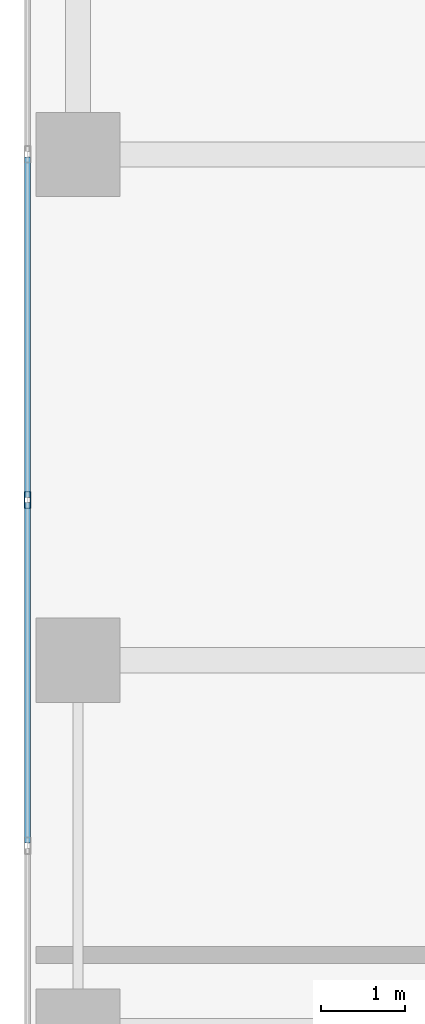
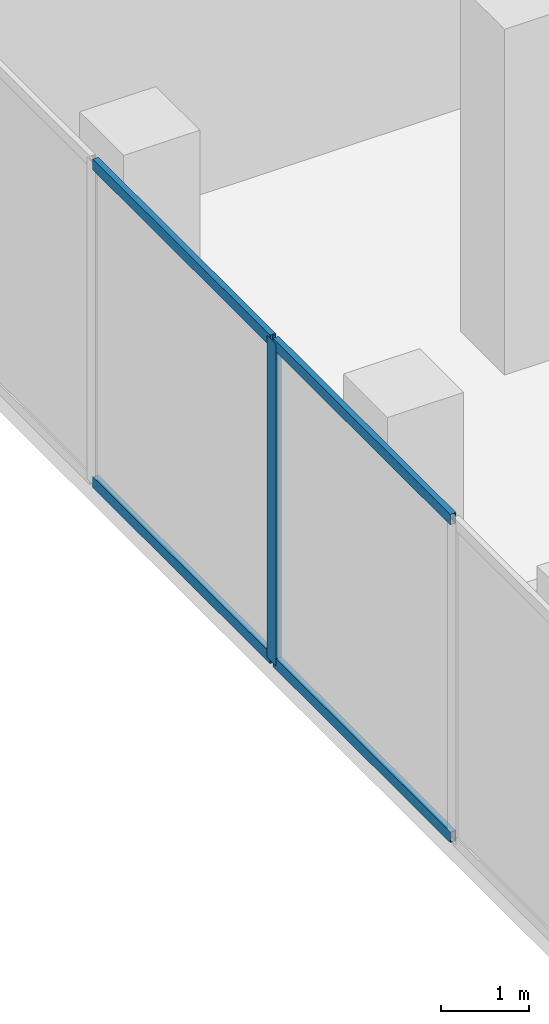
# One storey, part 6 of 24: 5 members, 1 element without a shape of its own.
"""IFC4 building model written with IfcOpenShell, lengths in metres."""

from ifc_helpers import new_model, si_unit, direction, frame, origin, origin_2d, place, context, subcontext, project, spatial, hollow_rectangle, extrude, material, layer, layer_set, material_profile, profile_set, type_object, element, aggregate, save


model = new_model("IFC4")

# Units and contexts
model_context = context("Model", 3, precision=1e-05, world=origin(), true_north=direction((0.0, 1.0)))
body_context = subcontext(model_context, "Body", "Model", "MODEL_VIEW")
ifc_project = project(units=[si_unit("LENGTHUNIT", "METRE"), si_unit("AREAUNIT", "SQUARE_METRE"), si_unit("VOLUMEUNIT", "CUBIC_METRE"), si_unit("PLANEANGLEUNIT", "RADIAN"), si_unit("MASSUNIT", "GRAM", prefix="KILO")], contexts=[model_context])

# Site, building, storey
site_placement = place(None, origin())
site = spatial("IfcSite", under=ifc_project, at=site_placement, CompositionType="ELEMENT")
building_placement = place(site_placement, origin())
building = spatial("IfcBuilding", under=site, at=building_placement, Name="Catumbela Crestline Tower", CompositionType="ELEMENT")
storey_placement = place(building_placement, frame((0.0, 0.0, 11.1)))
storey = spatial("IfcBuildingStorey", under=building, at=storey_placement, Name="L02", CompositionType="ELEMENT", Elevation=11.1)

# Curtain wall, members
ifc_material = material(Name="Aluminium alloy AW-6060-T66", Category="aluminium")
ifc_layer = layer(ifc_material, 0.18, Name="Aluminium alloy AW-6060-T66")
ifc_layer_set = layer_set([ifc_layer], Name="Aluminium alloy AW-6060-T66")
curtain_wall_type = type_object("IfcCurtainWallType", Name="CWS-POD", PredefinedType="USERDEFINED", material=ifc_layer_set)
curtain_wall_placement = place(storey_placement, origin())
curtain_wall = element("IfcCurtainWall", 1, at=curtain_wall_placement, inside=storey, type_object=curtain_wall_type, Name="L02 Stick Curtain Wall CW-L02-E9S1", ObjectType="STICK", PredefinedType="USERDEFINED")
ifc_material_profile_1 = material_profile(ifc_material, hollow_rectangle(XDim=0.075, YDim=0.2, WallThickness=0.005, at=origin_2d()), Name="ALU 200x75x5")
ifc_profile_set_1 = profile_set([ifc_material_profile_1], Name="Aluminium alloy AW-6060-T66")
member_type_1 = type_object("IfcMemberType", Name="MUL-200X75", PredefinedType="MULLION", material=ifc_profile_set_1)
member_1_placement = place(storey_placement, frame((0.0, 19.9, 0.0), z_axis=(0.0, 0.0, 1.0), x_axis=(1.0, 0.0, 0.0)))
member_1 = element("IfcMember", 2, at=member_1_placement, type_object=member_type_1, Name="CWS-POD mullion 7", PredefinedType="MULLION", context=body_context, shape_type="SweptSolid", body=[
    extrude(hollow_rectangle(XDim=0.075, YDim=0.2, WallThickness=0.005, at=origin_2d()), origin(), (0.0, 0.0, 1.0), 4.47),
])
ifc_material_profile_2 = material_profile(ifc_material, hollow_rectangle(XDim=0.075, YDim=0.15, WallThickness=0.0045, at=origin_2d()), Name="ALU 150x75x4.5")
ifc_profile_set_2 = profile_set([ifc_material_profile_2], Name="Aluminium alloy AW-6060-T66")
member_type_2 = type_object("IfcMemberType", Name="TRN-150X75", PredefinedType="USERDEFINED", material=ifc_profile_set_2)
member_2_placement = place(storey_placement, frame((0.0, 23.9675, 0.03), z_axis=(0.0, -1.0, 0.0), x_axis=(1.0, 0.0, 0.0)))
member_2 = element("IfcMember", 3, at=member_2_placement, type_object=member_type_2, Name="CWS-POD transom 6.1", ObjectType="TRANSOM", PredefinedType="USERDEFINED", context=body_context, shape_type="SweptSolid", body=[
    extrude(hollow_rectangle(XDim=0.075, YDim=0.15, WallThickness=0.0045, at=origin_2d()), origin(), (0.0, 0.0, 1.0), 4.035),
])
member_3_placement = place(storey_placement, frame((0.0, 23.9675, 4.44), z_axis=(0.0, -1.0, 0.0), x_axis=(1.0, 0.0, 0.0)))
member_3 = element("IfcMember", 4, at=member_3_placement, type_object=member_type_2, Name="CWS-POD transom 6.2", ObjectType="TRANSOM", PredefinedType="USERDEFINED", context=body_context, shape_type="SweptSolid", body=[
    extrude(hollow_rectangle(XDim=0.075, YDim=0.15, WallThickness=0.0045, at=origin_2d()), origin(), (0.0, 0.0, 1.0), 4.035),
])
member_4_placement = place(storey_placement, frame((0.0, 19.8675, 0.03), z_axis=(0.0, -1.0, 0.0), x_axis=(1.0, 0.0, 0.0)))
member_4 = element("IfcMember", 5, at=member_4_placement, type_object=member_type_2, Name="CWS-POD transom 7.1", ObjectType="TRANSOM", PredefinedType="USERDEFINED", context=body_context, shape_type="SweptSolid", body=[
    extrude(hollow_rectangle(XDim=0.075, YDim=0.15, WallThickness=0.0045, at=origin_2d()), origin(), (0.0, 0.0, 1.0), 4.035),
])
member_5_placement = place(storey_placement, frame((0.0, 19.8675, 4.44), z_axis=(0.0, -1.0, 0.0), x_axis=(1.0, 0.0, 0.0)))
member_5 = element("IfcMember", 6, at=member_5_placement, type_object=member_type_2, Name="CWS-POD transom 7.2", ObjectType="TRANSOM", PredefinedType="USERDEFINED", context=body_context, shape_type="SweptSolid", body=[
    extrude(hollow_rectangle(XDim=0.075, YDim=0.15, WallThickness=0.0045, at=origin_2d()), origin(), (0.0, 0.0, 1.0), 4.035),
])
aggregate(curtain_wall, [member_1, member_2, member_3, member_4, member_5])

save(model, "model.ifc")
